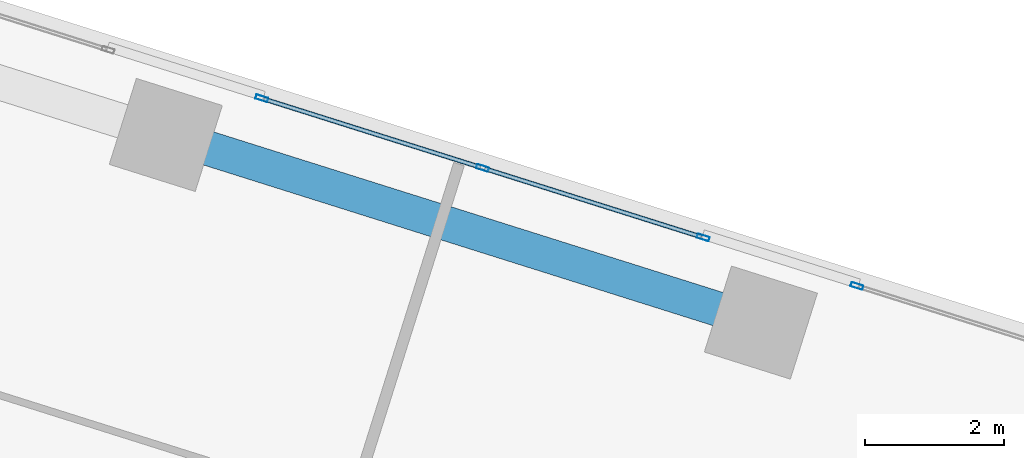
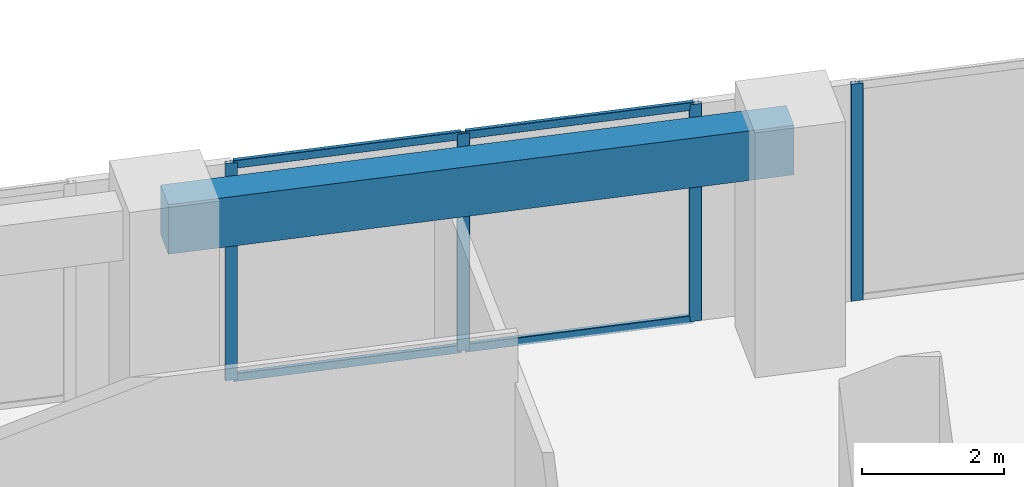
# One storey, part 17 of 28: 8 members, 1 beam, 2 elements without a shape of their own.
"""IFC4 building model written with IfcOpenShell, lengths in metres."""

from ifc_helpers import new_model, si_unit, direction, frame, origin, origin_2d, place, context, subcontext, project, spatial, rectangle, hollow_rectangle, extrude, source, transform, mapped, material, material_profile, profile_set, type_object, element, aggregate, save


model = new_model("IFC4")

# Units and contexts
model_context = context("Model", 3, precision=1e-05, world=origin(), true_north=direction((0.0, 1.0)))
body_context = subcontext(model_context, "Body", "Model", "MODEL_VIEW")
ifc_project = project(units=[si_unit("LENGTHUNIT", "METRE"), si_unit("AREAUNIT", "SQUARE_METRE"), si_unit("VOLUMEUNIT", "CUBIC_METRE"), si_unit("PLANEANGLEUNIT", "RADIAN"), si_unit("MASSUNIT", "GRAM", prefix="KILO")], contexts=[model_context])

# Site, building, storey
site_placement = place(None, origin())
site = spatial("IfcSite", under=ifc_project, at=site_placement, CompositionType="ELEMENT")
building_placement = place(site_placement, origin())
building = spatial("IfcBuilding", under=site, at=building_placement, Name="Torre Montelarca", CompositionType="ELEMENT")
storey_placement = place(building_placement, frame((0.0, 0.0, 112.60009765625)))
storey = spatial("IfcBuildingStorey", under=building, at=storey_placement, Name="L25", CompositionType="ELEMENT", Elevation=112.60009765625)

# Beam
ifc_material_1 = material(Name="Concrete C55/67", Category="concrete")
ifc_material_profile_1 = material_profile(ifc_material_1, rectangle(XDim=0.5, YDim=0.85009765625, at=origin_2d()), Name="RCB500X850", Category="concrete")
ifc_profile_set_1 = profile_set([ifc_material_profile_1], Name="Concrete C55/67")
beam_type = type_object("IfcBeamType", Name="BM-SP-RC850-EXT", PredefinedType="SPANDREL", material=ifc_profile_set_1)
shared_shape_1 = source(origin(), body_context, "Body", "SweptSolid", [
    extrude(rectangle(XDim=0.5, YDim=0.85009765625, at=origin_2d()), origin(), (0.0, 0.0, 1.0), 9.0),
])
beam_placement = place(storey_placement, frame((31.301025390625, 44.794921875, 3.534912109375), z_axis=(0.953719088711, -0.300699018669, 0.0), x_axis=(0.300699018669, 0.953719088711, 0.0)))
element("IfcBeam", 1, at=beam_placement, inside=storey, type_object=beam_type, Name="L25 Grid Girder X 27.0-36.0 at Y=47.1", PredefinedType="SPANDREL", context=body_context, shape_type="MappedRepresentation", body=[
    mapped(shared_shape_1, transform((0.0, 0.0, 0.0), scale=1.0)),
])

# Curtain wall, members
ifc_material_2 = material(Name="Insulated low-E laminated glass", Category="glass")
curtain_wall_type = type_object("IfcCurtainWallType", Name="CW-SYS-Z1", PredefinedType="USERDEFINED", material=ifc_material_2)
curtain_wall_1_placement = place(storey_placement, origin())
curtain_wall_1 = element("IfcCurtainWall", 2, at=curtain_wall_1_placement, inside=storey, type_object=curtain_wall_type, Name="L25 Curtain Wall Run CW-T3-L25-E08-B2", ObjectType="UNITISED GLAZING", PredefinedType="USERDEFINED")
ifc_material_3 = material(Name="Anodised aluminium AA 6063-T6", Category="aluminium")
ifc_material_profile_2 = material_profile(ifc_material_3, hollow_rectangle(XDim=0.06494140625, YDim=0.139892578125, WallThickness=0.00390625, InnerFilletRadius=0.00390625, OuterFilletRadius=0.008056640625, at=origin_2d()), Name="ALU65X140X4", Category="aluminium")
ifc_profile_set_2 = profile_set([ifc_material_profile_2], Name="Anodised aluminium AA 6063-T6")
member_type_1 = type_object("IfcMemberType", Name="CWT-ALU140", PredefinedType="USERDEFINED", material=ifc_profile_set_2)
shared_shape_2 = source(origin(), body_context, "Body", "SweptSolid", [
    extrude(hollow_rectangle(XDim=0.06494140625, YDim=0.139892578125, WallThickness=0.00390625, InnerFilletRadius=0.00390625, OuterFilletRadius=0.008056640625, at=origin_2d()), origin(), (0.0, 0.0, 1.0), 3.2724609375),
])
member_1_placement = place(storey_placement, frame((39.021484375, 43.325439453125, 0.032470703125), z_axis=(-0.953733631686, 0.300652889213, 0.0), x_axis=(-0.300652889213, -0.953733631686, 0.0)))
member_1 = element("IfcMember", 3, at=member_1_placement, type_object=member_type_1, Name="CW transom 1.1", ObjectType="TRANSOM", PredefinedType="USERDEFINED", context=body_context, shape_type="MappedRepresentation", body=[
    mapped(shared_shape_2, transform((0.0, 0.0, 0.0), scale=1.0)),
])
member_2_placement = place(storey_placement, frame((39.021484375, 43.325439453125, 3.6875), z_axis=(-0.953733631686, 0.300652889213, 0.0), x_axis=(-0.300652889213, -0.953733631686, 0.0)))
member_2 = element("IfcMember", 4, at=member_2_placement, type_object=member_type_1, Name="CW transom 1.2", ObjectType="TRANSOM", PredefinedType="USERDEFINED", context=body_context, shape_type="MappedRepresentation", body=[
    mapped(shared_shape_2, transform((0.0, 0.0, 0.0), scale=1.0)),
])
member_3_placement = place(storey_placement, frame((35.838623046875, 44.328857421875, 0.032470703125), z_axis=(-0.953712237681, 0.300720747035, 0.0), x_axis=(-0.300720747035, -0.953712237681, 0.0)))
member_3 = element("IfcMember", 5, at=member_3_placement, type_object=member_type_1, Name="CW transom 2.1", ObjectType="TRANSOM", PredefinedType="USERDEFINED", context=body_context, shape_type="MappedRepresentation", body=[
    mapped(shared_shape_2, transform((0.0, 0.0, 0.0), scale=1.0)),
])
member_4_placement = place(storey_placement, frame((35.838623046875, 44.328857421875, 3.6875), z_axis=(-0.953712237681, 0.300720747035, 0.0), x_axis=(-0.300720747035, -0.953712237681, 0.0)))
member_4 = element("IfcMember", 6, at=member_4_placement, type_object=member_type_1, Name="CW transom 2.2", ObjectType="TRANSOM", PredefinedType="USERDEFINED", context=body_context, shape_type="MappedRepresentation", body=[
    mapped(shared_shape_2, transform((0.0, 0.0, 0.0), scale=1.0)),
])

# Curtain wall, member
curtain_wall_2_placement = place(storey_placement, origin())
curtain_wall_2 = element("IfcCurtainWall", 7, at=curtain_wall_2_placement, inside=storey, type_object=curtain_wall_type, Name="L25 Curtain Wall Run CW-T3-L25-E08-B1", ObjectType="UNITISED GLAZING", PredefinedType="USERDEFINED")
ifc_material_profile_3 = material_profile(ifc_material_3, hollow_rectangle(XDim=0.06494140625, YDim=0.179931640625, WallThickness=0.00390625, InnerFilletRadius=0.00390625, OuterFilletRadius=0.008056640625, at=origin_2d()), Name="ALU65X180X4", Category="aluminium")
ifc_profile_set_3 = profile_set([ifc_material_profile_3], Name="Anodised aluminium AA 6063-T6")
member_type_2 = type_object("IfcMemberType", Name="CWM-ALU180", PredefinedType="MULLION", material=ifc_profile_set_3)
shared_shape_3 = source(origin(), body_context, "Body", "SweptSolid", [
    extrude(hollow_rectangle(XDim=0.06494140625, YDim=0.179931640625, WallThickness=0.00390625, InnerFilletRadius=0.00390625, OuterFilletRadius=0.008056640625, at=origin_2d()), origin(), (0.0, 0.0, 1.0), 3.719970703125),
])
member_5_placement = place(storey_placement, frame((41.269775390625, 42.616455078125, 0.0), z_axis=(0.0, 0.0, 1.0), x_axis=(-0.300702638073, -0.953717947538, 0.0)))
member_5 = element("IfcMember", 8, at=member_5_placement, type_object=member_type_2, Name="CW mullion 3", PredefinedType="MULLION", context=body_context, shape_type="MappedRepresentation", body=[
    mapped(shared_shape_3, transform((0.0, 0.0, 0.0), scale=1.0)),
])
aggregate(curtain_wall_2, [member_5])

# Member
member_6_placement = place(storey_placement, frame((39.052490234375, 43.315673828125, 0.0), z_axis=(0.0, 0.0, 1.0), x_axis=(-0.30071381367, -0.953714423855, 0.0)))
member_6 = element("IfcMember", 9, at=member_6_placement, type_object=member_type_2, Name="CW mullion 1", PredefinedType="MULLION", context=body_context, shape_type="MappedRepresentation", body=[
    mapped(shared_shape_3, transform((0.0, 0.0, 0.0), scale=1.0)),
])

member_7_placement = place(storey_placement, frame((35.869384765625, 44.319091796875, 0.0), z_axis=(0.0, 0.0, 1.0), x_axis=(-0.30071381367, -0.953714423855, 0.0)))
member_7 = element("IfcMember", 10, at=member_7_placement, type_object=member_type_2, Name="CW mullion 2", PredefinedType="MULLION", context=body_context, shape_type="MappedRepresentation", body=[
    mapped(shared_shape_3, transform((0.0, 0.0, 0.0), scale=1.0)),
])

member_8_placement = place(storey_placement, frame((32.6865234375, 45.32275390625, 0.0), z_axis=(0.0, 0.0, 1.0), x_axis=(-0.30071381367, -0.953714423855, 0.0)))
member_8 = element("IfcMember", 11, at=member_8_placement, type_object=member_type_2, Name="CW mullion 3", PredefinedType="MULLION", context=body_context, shape_type="MappedRepresentation", body=[
    mapped(shared_shape_3, transform((0.0, 0.0, 0.0), scale=1.0)),
])

aggregate(curtain_wall_1, [member_6, member_7, member_8, member_1, member_2, member_3, member_4])

save(model, "model.ifc")
